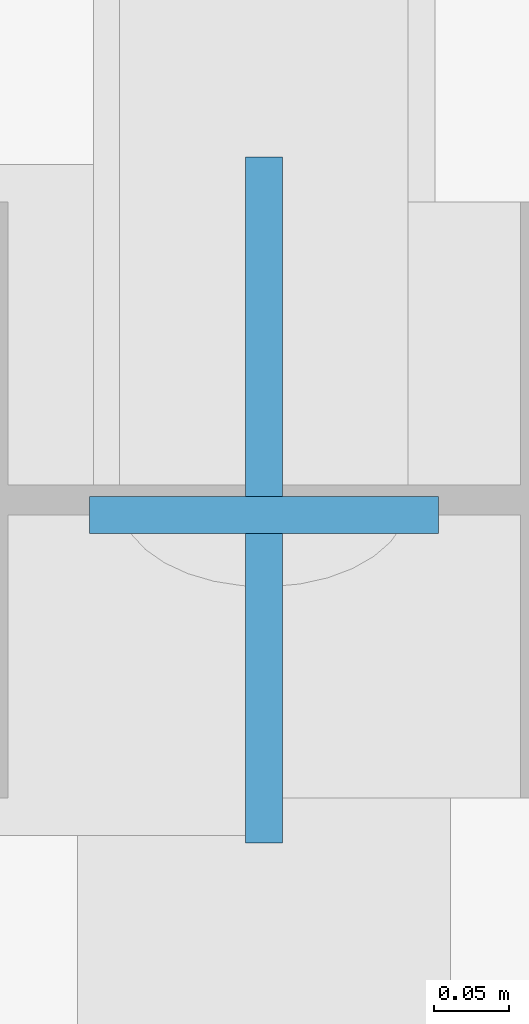
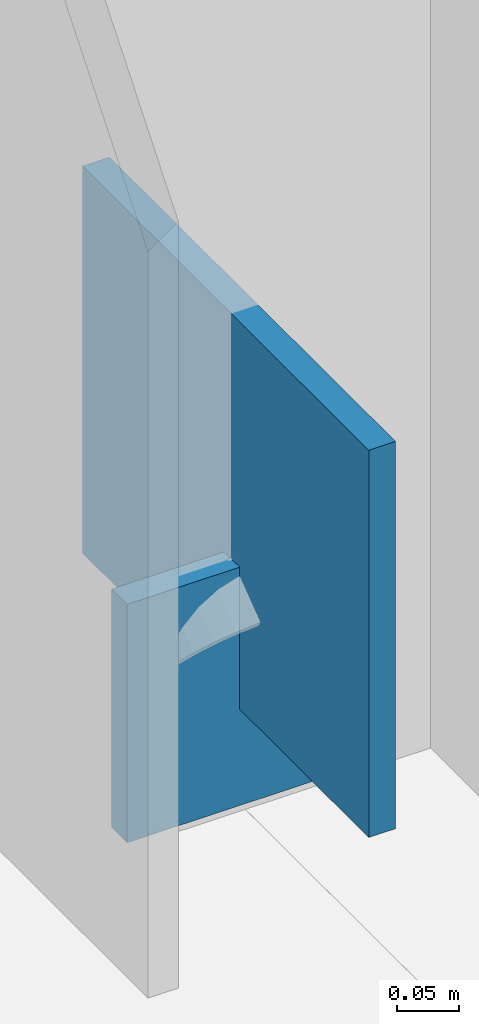
# One storey, part 168 of 226: 2 plates.
"""IFC4 building model written with IfcOpenShell, lengths in metres."""

from ifc_helpers import new_model, si_unit, direction, frame, origin, origin_2d, place, context, subcontext, project, spatial, rectangle, extrude, material, layer, layer_set, type_object, element, save


model = new_model("IFC4")

# Units and contexts
model_context = context("Model", 3, precision=1e-05, world=origin(), true_north=direction((0.0, 1.0)))
body_context = subcontext(model_context, "Body", "Model", "MODEL_VIEW")
ifc_project = project(units=[si_unit("LENGTHUNIT", "METRE"), si_unit("AREAUNIT", "SQUARE_METRE"), si_unit("VOLUMEUNIT", "CUBIC_METRE"), si_unit("PLANEANGLEUNIT", "RADIAN"), si_unit("MASSUNIT", "GRAM", prefix="KILO")], contexts=[model_context])

# Site, building, storey
site_placement = place(None, origin())
site = spatial("IfcSite", under=ifc_project, at=site_placement, CompositionType="ELEMENT")
building_placement = place(site_placement, origin())
building = spatial("IfcBuilding", under=site, at=building_placement, Name="Tarnwether General Hospital", CompositionType="ELEMENT")
storey_placement = place(building_placement, frame((0.0, 0.0, 4.800048828125)))
storey = spatial("IfcBuildingStorey", under=building, at=storey_placement, Name="L01", CompositionType="ELEMENT", Elevation=4.800048828125)

# Plates
ifc_material = material(Name="Steel Grade 350 (350 MPa)", Category="steel")
ifc_layer = layer(ifc_material, 0.02490234375)
ifc_layer_set = layer_set([ifc_layer], Name="Steel Grade 350 (350 MPa)")
plate_type = type_object("IfcPlateType", Name="PT-GUS2", PredefinedType="USERDEFINED", material=ifc_layer_set)
plate_1_placement = place(storey_placement, frame((60.0, 93.60009765625, 0.110107421875), z_axis=(0.0, 0.0, 1.0), x_axis=(0.0, 1.0, 0.0)))
element("IfcPlate", 1, at=plate_1_placement, inside=storey, type_object=plate_type, Name="Brace Base Gusset Plate 023", ObjectType="GUSSET", PredefinedType="USERDEFINED", context=body_context, shape_type="SweptSolid", body=[
    extrude(rectangle(XDim=0.4599609375, YDim=0.02490234375, at=origin_2d()), origin(), (0.0, 0.0, 1.0), 0.3798828125),
])
plate_2_placement = place(storey_placement, frame((60.0, 93.590087890625, 0.015625), z_axis=(0.0, 0.0, 1.0), x_axis=(0.0, 1.0, 0.0)))
element("IfcPlate", 2, at=plate_2_placement, inside=storey, type_object=plate_type, Name="Hollow Section Welded End Cap Plate 1207", ObjectType="GUSSET", PredefinedType="USERDEFINED", context=body_context, shape_type="SweptSolid", body=[
    extrude(rectangle(XDim=0.02490234375, YDim=0.23388671875, at=origin_2d()), origin(), (0.0, 0.0, 1.0), 0.23388671875),
])

save(model, "model.ifc")
